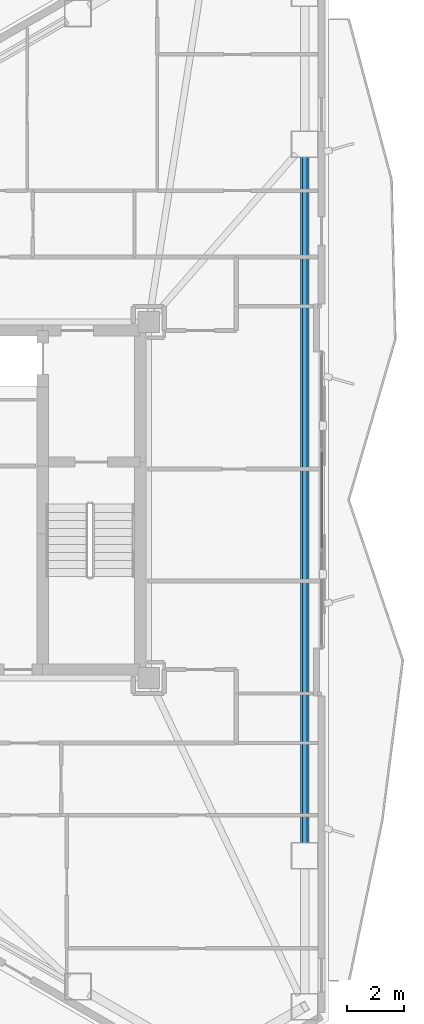
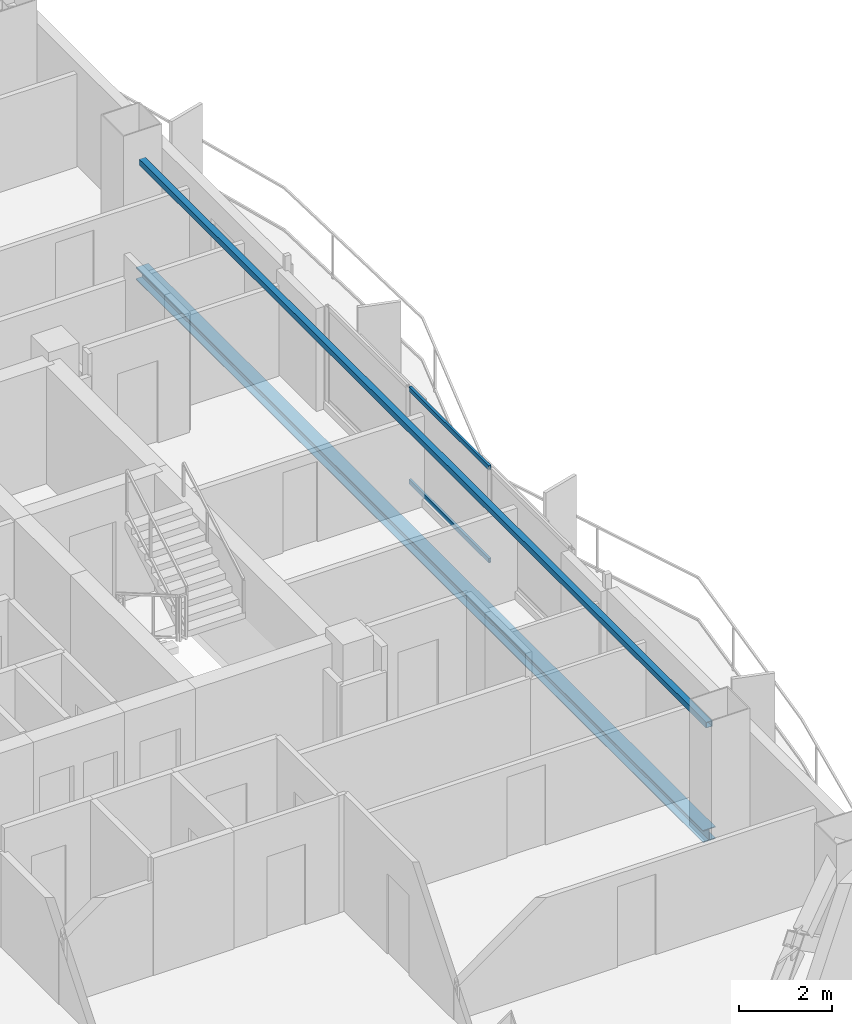
# One storey, part 8 of 19: 2 beams, 2 members, 1 element without a shape of its own.
"""IFC4 building model written with IfcOpenShell, lengths in metres."""

import ifcopenshell
import ifcopenshell.guid

model = None  # the IFC model being written
_history = None  # IfcOwnerHistory: only IFC2X3 demands one
_inside = {}  # id of a spatial element -> (the spatial element, [elements in it])
_under = {}  # id of a project, library or spatial element -> (it, [spatial elements below it])
_declared = {}  # id of a project -> (the project, [libraries it declares])
_typed = {}  # id of a type object -> (the type object, [elements of that type])
_made_of = {}  # id of a material, layer set ... -> (it, [elements and type objects made of it])


def new_model(schema):
    """Start an empty IFC model of exactly this schema.

    Asked for "IFC4X3", IfcOpenShell would pick the latest addendum, in which some entities
    have other attributes; the version numbers below select the first issue.
    IFC2X3 requires an IfcOwnerHistory on every rooted entity: one is made here for all.
    """
    global model, _history
    if schema == "IFC4X3":
        model = ifcopenshell.file(schema_version=(4, 3, 0, 0))
    else:
        model = ifcopenshell.file(schema=schema)
    _inside.clear()
    _under.clear()
    _declared.clear()
    _typed.clear()
    _made_of.clear()
    _history = None
    if model.schema == "IFC2X3":
        org = make("IfcOrganization", Name="unknown")
        user = make(
            "IfcPersonAndOrganization",
            ThePerson=make("IfcPerson", FamilyName="unknown"),
            TheOrganization=org,
        )
        app = make(
            "IfcApplication",
            ApplicationDeveloper=org,
            Version="unknown",
            ApplicationFullName="unknown",
            ApplicationIdentifier="unknown",
        )
        _history = make(
            "IfcOwnerHistory",
            OwningUser=user,
            OwningApplication=app,
            ChangeAction="ADDED",
            CreationDate=0,
        )
    return model


def make(cls, **values):
    """One entity of the class cls with the attributes given. An attribute that is None is left unset."""
    return model.create_entity(
        cls, **{name: value for name, value in values.items() if value is not None}
    )


def rooted(cls, **values):
    """An entity with a GlobalId (a new one), such as an element, a storey or a relation."""
    return make(cls, GlobalId=ifcopenshell.guid.new(), OwnerHistory=_history, **values)


def si_unit(unit_type, name, prefix=None):
    """IfcSIUnit, for example si_unit("LENGTHUNIT", "METRE", prefix="MILLI")."""
    return make("IfcSIUnit", UnitType=unit_type, Prefix=prefix, Name=name)


def assignment(units):
    """IfcUnitAssignment: the units of a project."""
    return None if units is None else make("IfcUnitAssignment", Units=units)


def point(xyz):
    """IfcCartesianPoint."""
    return None if xyz is None else make("IfcCartesianPoint", Coordinates=xyz)


def direction(xyz):
    """IfcDirection."""
    return None if xyz is None else make("IfcDirection", DirectionRatios=xyz)


def frame(location, z_axis=None, x_axis=None):
    """IfcAxis2Placement3D, a coordinate frame: its origin and axes. An axis left out is left unset."""
    return make(
        "IfcAxis2Placement3D",
        Location=point(location),
        Axis=direction(z_axis),
        RefDirection=direction(x_axis),
    )


def frame_2d(location, x_axis=None):
    """IfcAxis2Placement2D, a coordinate frame in the plane: its origin and x axis."""
    return make(
        "IfcAxis2Placement2D", Location=point(location), RefDirection=direction(x_axis)
    )


def origin():
    """The frame at (0, 0, 0) with its axes left unset."""
    return frame((0.0, 0.0, 0.0))


def origin_2d():
    """The frame at (0, 0) in the plane with its x axis left unset."""
    return frame_2d((0.0, 0.0))


def place(relative_to, where):
    """IfcLocalPlacement: puts the frame where relative to a parent placement (None: the world)."""
    return make(
        "IfcLocalPlacement", PlacementRelTo=relative_to, RelativePlacement=where
    )


def context(
    kind, dimensions, precision=None, world=None, true_north=None, identifier=None
):
    """IfcGeometricRepresentationContext, for example the 3D "Model" context."""
    return make(
        "IfcGeometricRepresentationContext",
        ContextIdentifier=identifier,
        ContextType=kind,
        CoordinateSpaceDimension=dimensions,
        Precision=precision,
        WorldCoordinateSystem=world,
        TrueNorth=true_north,
    )


def subcontext(parent, identifier, kind, view, scale=None):
    """IfcGeometricRepresentationSubContext, for example "Body" below "Model"."""
    return make(
        "IfcGeometricRepresentationSubContext",
        ContextIdentifier=identifier,
        ContextType=kind,
        ParentContext=parent,
        TargetScale=scale,
        TargetView=view,
    )


def project(units=None, contexts=None):
    """IfcProject with its units and contexts."""
    return rooted(
        "IfcProject",
        Name="project",
        RepresentationContexts=contexts,
        UnitsInContext=assignment(units),
    )


def spatial(cls, under=None, at=None, **own):
    """A site, building, storey or space (cls), placed at a placement, below another one or the project."""
    s = rooted(cls, ObjectPlacement=at, **own)
    if under is not None:
        _under.setdefault(under.id(), (under, []))[1].append(s)
    return s


def profile(cls, at=None, kind="AREA", **sizes):
    """A parametric profile (cls). Its sizes go by their IFC names, for example OverallWidth=200.0."""
    return make(cls, ProfileType=kind, Position=at, **sizes)


def hollow_rectangle(**sizes):
    """IfcRectangleHollowProfileDef."""
    return profile("IfcRectangleHollowProfileDef", **sizes)


def i_section(**sizes):
    """IfcIShapeProfileDef."""
    return profile("IfcIShapeProfileDef", **sizes)


def extrude(swept, where, along, depth):
    """IfcExtrudedAreaSolid: the profile swept, set in the frame where, extruded along a direction by depth."""
    return make(
        "IfcExtrudedAreaSolid",
        SweptArea=swept,
        Position=where,
        ExtrudedDirection=direction(along),
        Depth=depth,
    )


def shape(context_of_items, identifier, shape_type, items):
    """IfcShapeRepresentation: the items that make up one representation, for example the "Body"."""
    return make(
        "IfcShapeRepresentation",
        ContextOfItems=context_of_items,
        RepresentationIdentifier=identifier,
        RepresentationType=shape_type,
        Items=items,
    )


def material(Name=None, Category=None):
    """IfcMaterial."""
    return make("IfcMaterial", Name=Name, Category=Category)


def layer(
    of_material, thickness, ventilated=None, Name=None, Category=None, Priority=None
):
    """IfcMaterialLayer: one layer of a wall or slab, of a material (None: an air gap)."""
    return make(
        "IfcMaterialLayer",
        Material=of_material,
        LayerThickness=thickness,
        IsVentilated=ventilated,
        Name=Name,
        Category=Category,
        Priority=Priority,
    )


def layer_set(layers, Name=None):
    """IfcMaterialLayerSet."""
    return make("IfcMaterialLayerSet", MaterialLayers=layers, LayerSetName=Name)


def material_profile(
    of_material, cross_section, Name=None, Category=None, Priority=None
):
    """IfcMaterialProfile: a cross section and its material."""
    return make(
        "IfcMaterialProfile",
        Name=Name,
        Material=of_material,
        Profile=cross_section,
        Priority=Priority,
        Category=Category,
    )


def profile_set(profiles, Name=None, composite=None):
    """IfcMaterialProfileSet."""
    return make(
        "IfcMaterialProfileSet",
        Name=Name,
        MaterialProfiles=profiles,
        CompositeProfile=composite,
    )


def made_of(thing, what):
    """Note that an element or type object is made of a material, layer set ...; save() writes the relation."""
    if what is not None:
        _made_of.setdefault(what.id(), (what, []))[1].append(thing)
    return thing


def type_object(cls, material=None, **own):
    """A type object (cls), such as IfcWallType, which elements share."""
    return made_of(rooted(cls, **own), material)


def element(
    cls,
    number,
    at=None,
    inside=None,
    cuts=None,
    type_object=None,
    material=None,
    context=None,
    identifier="Body",
    shape_type=None,
    held_by="IfcProductDefinitionShape",
    body=None,
    shapes=None,
    **own,
):
    """One element of the class cls, such as IfcWall. Its Tag is "e" and its number.

    at: its placement. inside: the storey or other place that contains it. cuts: it is an
    opening in that element (IfcRelVoidsElement). A single representation is given by context,
    identifier, shape_type and body (its items); several are given by shapes. held_by: the class
    of the entity that holds the representations. save() writes the other relations.
    """
    e = rooted(cls, Tag="e%d" % number, ObjectPlacement=at, **own)
    if body is not None:
        shapes = [shape(context, identifier, shape_type, body)]
    if shapes is not None:
        e.Representation = make(held_by, Representations=shapes)
    if inside is not None:
        _inside.setdefault(inside.id(), (inside, []))[1].append(e)
    if cuts is not None:
        rooted(
            "IfcRelVoidsElement", RelatingBuildingElement=cuts, RelatedOpeningElement=e
        )
    if type_object is not None:
        _typed.setdefault(type_object.id(), (type_object, []))[1].append(e)
    return made_of(e, material)


def aggregate(whole, parts):
    """IfcRelAggregates: a whole, such as a stair, and the parts it consists of."""
    return rooted("IfcRelAggregates", RelatingObject=whole, RelatedObjects=parts)


def save(model, path):
    """Write the relations noted so far, then the file.

    IfcRelAggregates (storeys below a building ...), IfcRelContainedInSpatialStructure (elements
    in a storey), IfcRelDefinesByType, IfcRelAssociatesMaterial and IfcRelDeclares: one each for
    every whole, place, type object, material and project.
    """
    for whole, parts in _under.values():
        aggregate(whole, parts)
    for where, things in _inside.values():
        rooted(
            "IfcRelContainedInSpatialStructure",
            RelatedElements=things,
            RelatingStructure=where,
        )
    for kind, things in _typed.values():
        rooted("IfcRelDefinesByType", RelatedObjects=things, RelatingType=kind)
    for what, things in _made_of.values():
        rooted("IfcRelAssociatesMaterial", RelatedObjects=things, RelatingMaterial=what)
    for by, libraries in _declared.values():
        rooted("IfcRelDeclares", RelatingContext=by, RelatedDefinitions=libraries)
    model.write(path)


model = new_model("IFC4")

# Units and contexts
model_context = context("Model", 3, precision=1e-05, world=origin(), true_north=direction((0.0, 1.0)))
body_context = subcontext(model_context, "Body", "Model", "MODEL_VIEW")
ifc_project = project(units=[si_unit("LENGTHUNIT", "METRE"), si_unit("AREAUNIT", "SQUARE_METRE"), si_unit("VOLUMEUNIT", "CUBIC_METRE"), si_unit("PLANEANGLEUNIT", "RADIAN"), si_unit("MASSUNIT", "GRAM", prefix="KILO")], contexts=[model_context])

# Site, building, storey
site_placement = place(None, origin())
site = spatial("IfcSite", under=ifc_project, at=site_placement, CompositionType="ELEMENT")
building_placement = place(site_placement, origin())
building = spatial("IfcBuilding", under=site, at=building_placement, Name="Mersakhor Tower and Convention Hall", CompositionType="ELEMENT")
storey_placement = place(building_placement, frame((0.0, 0.0, 127.800048828125)))
storey = spatial("IfcBuildingStorey", under=building, at=storey_placement, Name="L35", CompositionType="ELEMENT", Elevation=127.800048828125)

# Beams
ifc_material_1 = material(Name="Steel S355", Category="steel")
ifc_material_profile_1 = material_profile(ifc_material_1, hollow_rectangle(XDim=0.14990234375, YDim=0.14990234375, WallThickness=0.010009765625, at=origin_2d()), Name="SHS 150x150x10")
ifc_profile_set_1 = profile_set([ifc_material_profile_1], Name="Steel S355")
beam_type_1 = type_object("IfcBeamType", Name="BM-GRT-SHS150", PredefinedType="USERDEFINED", material=ifc_profile_set_1)
beam_1_placement = place(storey_placement, frame((41.619140625, 38.8837890625, 2.47998046875), z_axis=(0.0, -1.0, 0.0), x_axis=(1.0, 0.0, 0.0)))
element("IfcBeam", 1, at=beam_1_placement, inside=storey, type_object=beam_type_1, Name="L35 Facade Support Girt GRT-F2", ObjectType="GIRT", PredefinedType="USERDEFINED", context=body_context, shape_type="SweptSolid", body=[
    extrude(hollow_rectangle(XDim=0.14990234375, YDim=0.14990234375, WallThickness=0.010009765625, at=origin_2d()), origin(), (0.0, 0.0, 1.0), 24.267578125),
])
ifc_material_2 = material(Name="Steel S355", Category="steel")
ifc_material_profile_2 = material_profile(ifc_material_2, i_section(OverallWidth=0.30908203125, OverallDepth=0.320556640625, WebThickness=0.013916015625, FlangeThickness=0.021728515625, at=origin_2d()), Name="UC 305x305x137")
ifc_profile_set_2 = profile_set([ifc_material_profile_2], Name="Steel S355")
beam_type_2 = type_object("IfcBeamType", Name="BM-SPD-UC305", PredefinedType="SPANDREL", material=ifc_profile_set_2)
beam_2_placement = place(storey_placement, frame((41.619140625, 38.8837890625, -0.400390625), z_axis=(0.0, -1.0, 0.0), x_axis=(1.0, 0.0, 0.0)))
element("IfcBeam", 2, at=beam_2_placement, inside=storey, type_object=beam_type_2, Name="L35 Perimeter Spandrel Beam SPB-06", PredefinedType="SPANDREL", context=body_context, shape_type="SweptSolid", body=[
    extrude(i_section(OverallWidth=0.30908203125, OverallDepth=0.320556640625, WebThickness=0.013916015625, FlangeThickness=0.021728515625, at=origin_2d()), origin(), (0.0, 0.0, 1.0), 24.267578125),
])

# Curtain wall, members
ifc_material_3 = material(Name="Dark solar low-E aluminium curtain wall", Category="aluminium")
ifc_layer = layer(ifc_material_3, 0.169921875)
ifc_layer_set = layer_set([ifc_layer], Name="Dark solar low-E aluminium curtain wall")
curtain_wall_type = type_object("IfcCurtainWallType", Name="CW-SYS-02", PredefinedType="USERDEFINED", material=ifc_layer_set)
curtain_wall_placement = place(storey_placement, origin())
curtain_wall = element("IfcCurtainWall", 3, at=curtain_wall_placement, inside=storey, type_object=curtain_wall_type, Name="L35 Dark-Glass Curtain Wall F2-B2", ObjectType="CURTAIN WALL", PredefinedType="USERDEFINED")
ifc_material_4 = material(Name="Anodised aluminium EN AW-6063 T6", Category="aluminium")
ifc_material_profile_3 = material_profile(ifc_material_4, hollow_rectangle(XDim=0.06005859375, YDim=0.1201171875, WallThickness=0.0048828125, at=origin_2d()), Name="RHS 120x60x5")
ifc_profile_set_3 = profile_set([ifc_material_profile_3], Name="Anodised aluminium EN AW-6063 T6")
member_type = type_object("IfcMemberType", Name="CWT-120x60", PredefinedType="USERDEFINED", material=ifc_profile_set_3)
member_1_placement = place(storey_placement, frame((42.21923828125, 28.460205078125, 0.22998046875), z_axis=(0.0, -1.0, 0.0), x_axis=(1.0, 0.0, 0.0)))
member_1 = element("IfcMember", 4, at=member_1_placement, type_object=member_type, Name="CW-02 transom 2.1", ObjectType="TRANSOM", PredefinedType="USERDEFINED", context=body_context, shape_type="SweptSolid", body=[
    extrude(hollow_rectangle(XDim=0.06005859375, YDim=0.1201171875, WallThickness=0.0048828125, at=origin_2d()), origin(), (0.0, 0.0, 1.0), 3.42041015625),
])
member_2_placement = place(storey_placement, frame((42.21923828125, 28.460205078125, 2.64990234375), z_axis=(0.0, -1.0, 0.0), x_axis=(1.0, 0.0, 0.0)))
member_2 = element("IfcMember", 5, at=member_2_placement, type_object=member_type, Name="CW-02 transom 2.2", ObjectType="TRANSOM", PredefinedType="USERDEFINED", context=body_context, shape_type="SweptSolid", body=[
    extrude(hollow_rectangle(XDim=0.06005859375, YDim=0.1201171875, WallThickness=0.0048828125, at=origin_2d()), origin(), (0.0, 0.0, 1.0), 3.42041015625),
])
aggregate(curtain_wall, [member_1, member_2])

save(model, "model.ifc")
